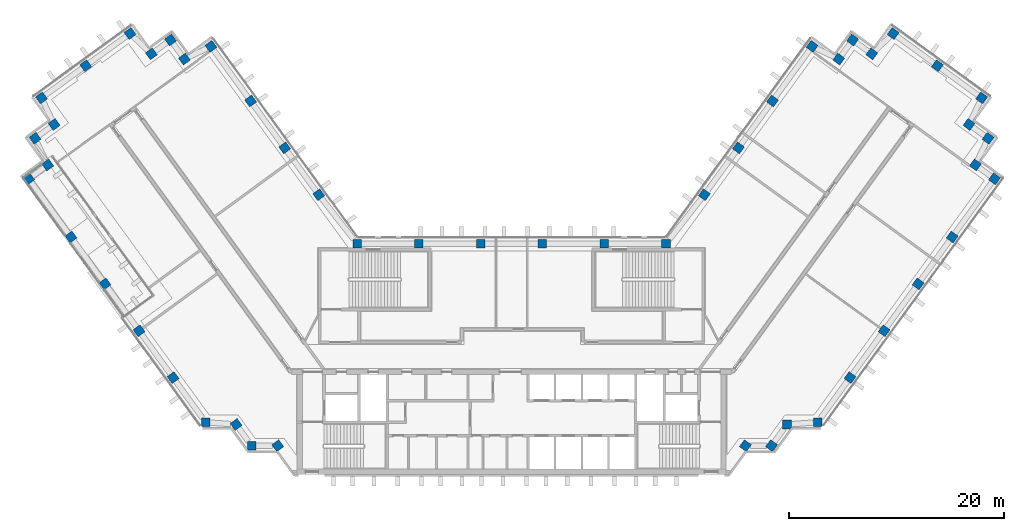
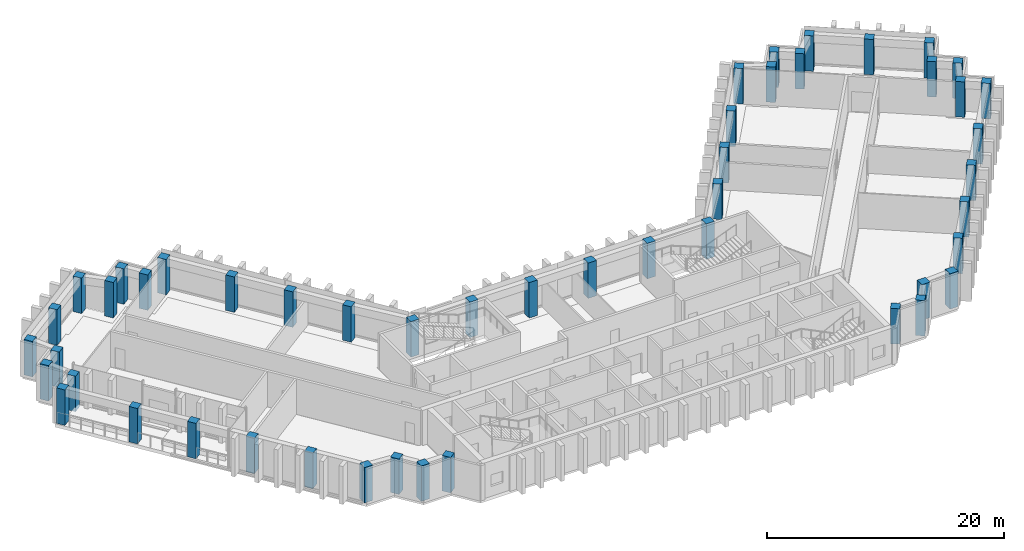
# One storey, part 1 of 12: 50 columns.
"""IFC4 building model written with IfcOpenShell, lengths in metres."""

from ifc_helpers import new_model, si_unit, direction, frame, origin, origin_2d, place, context, subcontext, project, spatial, rectangle, extrude, material, material_profile, profile_set, type_object, element, save


model = new_model("IFC4")

# Units and contexts
model_context = context("Model", 3, precision=1e-05, world=origin(), true_north=direction((0.0, 1.0)))
body_context = subcontext(model_context, "Body", "Model", "MODEL_VIEW")
ifc_project = project(units=[si_unit("LENGTHUNIT", "METRE"), si_unit("AREAUNIT", "SQUARE_METRE"), si_unit("VOLUMEUNIT", "CUBIC_METRE"), si_unit("PLANEANGLEUNIT", "RADIAN"), si_unit("MASSUNIT", "GRAM", prefix="KILO")], contexts=[model_context])

# Site, building, storey
site_placement = place(None, origin())
site = spatial("IfcSite", under=ifc_project, at=site_placement, CompositionType="ELEMENT")
building_placement = place(site_placement, origin())
building = spatial("IfcBuilding", under=site, at=building_placement, Name="Quipu Civic Tower", CompositionType="ELEMENT")
storey_placement = place(building_placement, frame((0.0, 0.0, 152.0)))
storey = spatial("IfcBuildingStorey", under=building, at=storey_placement, Name="L35", CompositionType="ELEMENT", Elevation=152.0)

# Columns
ifc_material = material(Name="Concrete C60/75", Category="concrete")
ifc_material_profile = material_profile(ifc_material, rectangle(XDim=0.800048828125, YDim=0.800048828125, at=origin_2d()), Name="RC800x800")
ifc_profile_set = profile_set([ifc_material_profile], Name="Concrete C60/75")
column_type = type_object("IfcColumnType", Name="Perimeter column RC 800x800 C60/75", PredefinedType="COLUMN", material=ifc_profile_set)
for number, where, z_axis, x_axis, name in (
    (1, (-17.9736328125, 15.074951171875, 0.0), (0.0, 0.0, 1.0), (-0.587785252292, 0.809016994375, 0.0), "Column L35 W-IN-01"),
    (2, (-21.1474609375, 19.44384765625, 0.0), (0.0, 0.0, 1.0), (-0.587785252292, 0.809016994375, 0.0), "Column L35 W-IN-02"),
    (3, (-24.3212890625, 23.8125, 0.0), (0.0, 0.0, 1.0), (-0.587785252292, 0.809016994375, 0.0), "Column L35 W-IN-03"),
    (4, (-28.02001953125, 28.905029296875, 0.0), (0.0, 0.0, 1.0), (-0.809016994375, -0.587785252292, 0.0), "Column L35 T-Wi.0-W34"),
    (5, (-30.498779296875, 27.72265625, 0.0), (0.0, 0.0, 1.0), (-0.809016994375, -0.587785252292, 0.0), "Column L35 T-Wi.1-W34"),
    (6, (-31.794921875, 29.5, 0.0), (0.0, 0.0, 1.0), (-0.587785252292, 0.809016994375, 0.0), "Column L35 T-Wi.2-W34"),
    (7, (-33.573974609375, 28.20947265625, 0.0), (0.0, 0.0, 1.0), (-0.587785252292, 0.809016994375, 0.0), "Column L35 T-Wi.3-W34"),
    (8, (-35.56494140625, 30.10009765625, 0.0), (0.0, 0.0, 1.0), (-0.809016994375, -0.587785252292, 0.0), "Column L35 T-Wi.4-W34"),
    (9, (-39.690673828125, 27.10205078125, 0.0), (0.0, 0.0, 1.0), (-0.809016994375, -0.587785252292, 0.0), "Column L35 TIP-W-01-W34"),
    (10, (-43.81494140625, 24.10498046875, 0.0), (0.0, 0.0, 1.0), (-0.809016994375, -0.587785252292, 0.0), "Column L35 T-Wo.0-W34"),
    (11, (-42.635009765625, 21.626220703125, 0.0), (0.0, 0.0, 1.0), (-0.809016994375, -0.587785252292, 0.0), "Column L35 T-Wo.1-W34"),
    (12, (-44.4150390625, 20.3349609375, 0.0), (0.0, 0.0, 1.0), (0.587785252292, -0.809016994375, 0.0), "Column L35 T-Wo.2-W34"),
    (13, (-43.23095703125, 17.8544921875, 0.0), (0.0, 0.0, 1.0), (0.587785252292, -0.809016994375, 0.0), "Column L35 T-Wo.3-W34"),
    (14, (-45.010009765625, 16.56005859375, 0.0), (0.0, 0.0, 1.0), (0.587785252292, -0.809016994375, 0.0), "Column L35 T-Wo.4-W34"),
    (15, (-41.0703125, 11.137451171875, 0.0), (0.0, 0.0, 1.0), (0.587785252292, -0.809016994375, 0.0), "Column L35 W-OUT-04"),
    (16, (-37.896240234375, 6.768798828125, 0.0), (0.0, 0.0, 1.0), (0.587785252292, -0.809016994375, 0.0), "Column L35 W-OUT-03"),
    (17, (-34.722412109375, 2.39990234375, 0.0), (0.0, 0.0, 1.0), (0.587785252292, -0.809016994375, 0.0), "Column L35 W-OUT-02"),
    (18, (-31.54833984375, -1.96875, 0.0), (0.0, 0.0, 1.0), (0.587785252292, -0.809016994375, 0.0), "Column L35 W-OUT-01"),
    (19, (-28.52490234375, -6.1298828125, 0.0), (0.0, 0.0, 1.0), (1.0, 0.0, 0.0), "Column L35 J-Wo.0"),
    (20, (-25.67431640625, -6.3369140625, 0.0), (0.0, 0.0, 1.0), (0.587785252292, -0.809016994375, 0.0), "Column L35 J-Wo.1"),
    (21, (-24.235107421875, -8.31494140625, 0.0), (0.0, 0.0, 1.0), (1.0, 0.0, 0.0), "Column L35 J-Wo.2"),
    (22, (-21.791748046875, -8.31494140625, 0.0), (0.0, 0.0, 1.0), (0.587785252292, -0.809016994375, 0.0), "Column L35 J-Wo.3"),
    (23, (21.791748046875, -8.31494140625, 0.0), (0.0, 0.0, 1.0), (0.587785252292, 0.809016994375, 0.0), "Column L35 J-Eo.1"),
    (24, (24.235107421875, -8.31494140625, 0.0), (0.0, 0.0, 1.0), (0.587785252292, 0.809016994375, 0.0), "Column L35 J-Eo.2"),
    (25, (25.67431640625, -6.3369140625, 0.0), (0.0, 0.0, 1.0), (1.0, 0.0, 0.0), "Column L35 J-Eo.3"),
    (26, (28.52490234375, -6.1298828125, 0.0), (0.0, 0.0, 1.0), (1.0, 0.0, 0.0), "Column L35 J-Eo.4"),
    (27, (31.54833984375, -1.96875, 0.0), (0.0, 0.0, 1.0), (0.587785252292, 0.809016994375, 0.0), "Column L35 E-OUT-01"),
    (28, (34.722412109375, 2.39990234375, 0.0), (0.0, 0.0, 1.0), (0.587785252292, 0.809016994375, 0.0), "Column L35 E-OUT-02"),
    (29, (37.896240234375, 6.768798828125, 0.0), (0.0, 0.0, 1.0), (0.587785252292, 0.809016994375, 0.0), "Column L35 E-OUT-03"),
    (30, (41.0703125, 11.137451171875, 0.0), (0.0, 0.0, 1.0), (0.587785252292, 0.809016994375, 0.0), "Column L35 E-OUT-04"),
    (31, (45.010009765625, 16.56005859375, 0.0), (0.0, 0.0, 1.0), (0.587785252292, 0.809016994375, 0.0), "Column L35 T-Eo.0-E34"),
    (32, (43.23095703125, 17.8544921875, 0.0), (0.0, 0.0, 1.0), (0.587785252292, 0.809016994375, 0.0), "Column L35 T-Eo.1-E34"),
    (33, (44.4150390625, 20.3349609375, 0.0), (0.0, 0.0, 1.0), (0.587785252292, 0.809016994375, 0.0), "Column L35 T-Eo.2-E34"),
    (34, (42.635009765625, 21.626220703125, 0.0), (0.0, 0.0, 1.0), (-0.809016994375, 0.587785252292, 0.0), "Column L35 T-Eo.3-E34"),
    (35, (43.81494140625, 24.10498046875, 0.0), (0.0, 0.0, 1.0), (-0.809016994375, 0.587785252292, 0.0), "Column L35 T-Eo.4-E34"),
    (36, (39.690673828125, 27.10205078125, 0.0), (0.0, 0.0, 1.0), (-0.809016994375, 0.587785252292, 0.0), "Column L35 TIP-E-01-E34"),
    (37, (35.56494140625, 30.10009765625, 0.0), (0.0, 0.0, 1.0), (-0.587785252292, -0.809016994375, 0.0), "Column L35 T-Ei.0-E34"),
    (38, (33.573974609375, 28.20947265625, 0.0), (0.0, 0.0, 1.0), (-0.809016994375, 0.587785252292, 0.0), "Column L35 T-Ei.1-E34"),
    (39, (31.794921875, 29.5, 0.0), (0.0, 0.0, 1.0), (-0.587785252292, -0.809016994375, 0.0), "Column L35 T-Ei.2-E34"),
    (40, (30.498779296875, 27.72265625, 0.0), (0.0, 0.0, 1.0), (-0.809016994375, 0.587785252292, 0.0), "Column L35 T-Ei.3-E34"),
    (41, (28.02001953125, 28.905029296875, 0.0), (0.0, 0.0, 1.0), (-0.809016994375, 0.587785252292, 0.0), "Column L35 T-Ei.4-E34"),
    (42, (24.3212890625, 23.8125, 0.0), (0.0, 0.0, 1.0), (-0.587785252292, -0.809016994375, 0.0), "Column L35 E-IN-03"),
    (43, (21.1474609375, 19.44384765625, 0.0), (0.0, 0.0, 1.0), (-0.587785252292, -0.809016994375, 0.0), "Column L35 E-IN-02"),
    (44, (17.9736328125, 15.074951171875, 0.0), (0.0, 0.0, 1.0), (-0.587785252292, -0.809016994375, 0.0), "Column L35 E-IN-01"),
    (45, (14.395263671875, 10.5, 0.0), (0.0, 0.0, 1.0), (-1.0, 0.0, 0.0), "Column L35 J-Ei.0"),
    (46, (8.63720703125, 10.5, 0.0), (0.0, 0.0, 1.0), (-1.0, 0.0, 0.0), "Column L35 FRONT-01"),
    (47, (2.87890625, 10.5, 0.0), (0.0, 0.0, 1.0), (-1.0, 0.0, 0.0), "Column L35 FRONT-02"),
    (48, (-2.87890625, 10.5, 0.0), (0.0, 0.0, 1.0), (-1.0, 0.0, 0.0), "Column L35 FRONT-03"),
    (49, (-8.63720703125, 10.5, 0.0), (0.0, 0.0, 1.0), (-1.0, 0.0, 0.0), "Column L35 FRONT-04"),
    (50, (-14.395263671875, 10.5, 0.0), (0.0, 0.0, 1.0), (-1.0, 0.0, 0.0), "Column L35 J-Wi.0"),
):
    element("IfcColumn", number, at=place(storey_placement, frame(where, z_axis=z_axis, x_axis=x_axis)), inside=storey, type_object=column_type, Name=name, PredefinedType="COLUMN", context=body_context, shape_type="SweptSolid", body=[
        extrude(rectangle(XDim=0.800048828125, YDim=0.800048828125, at=origin_2d()), origin(), (0.0, 0.0, 1.0), 3.64990234375),
    ])

save(model, "model.ifc")
